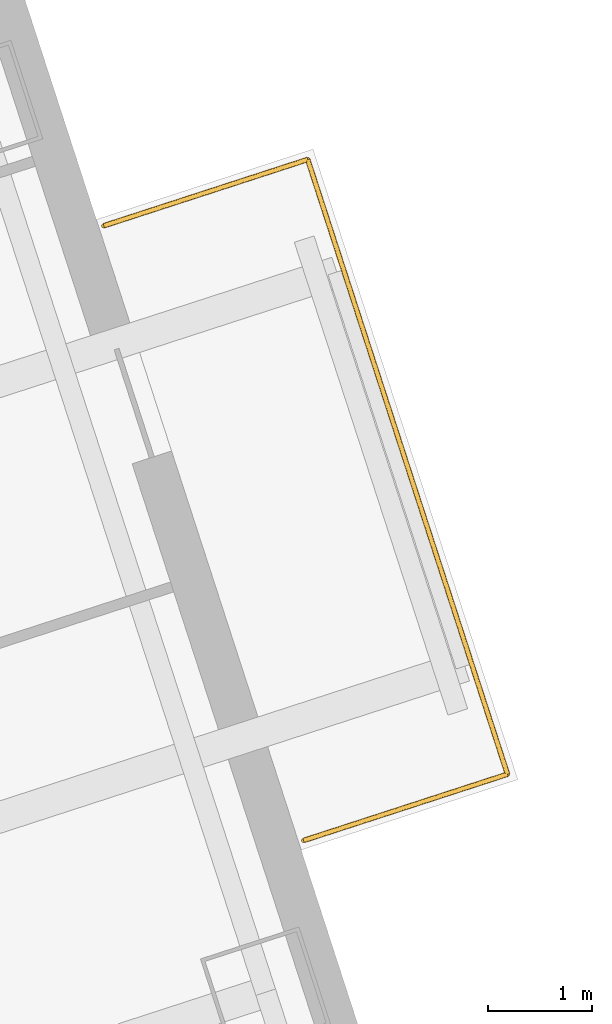
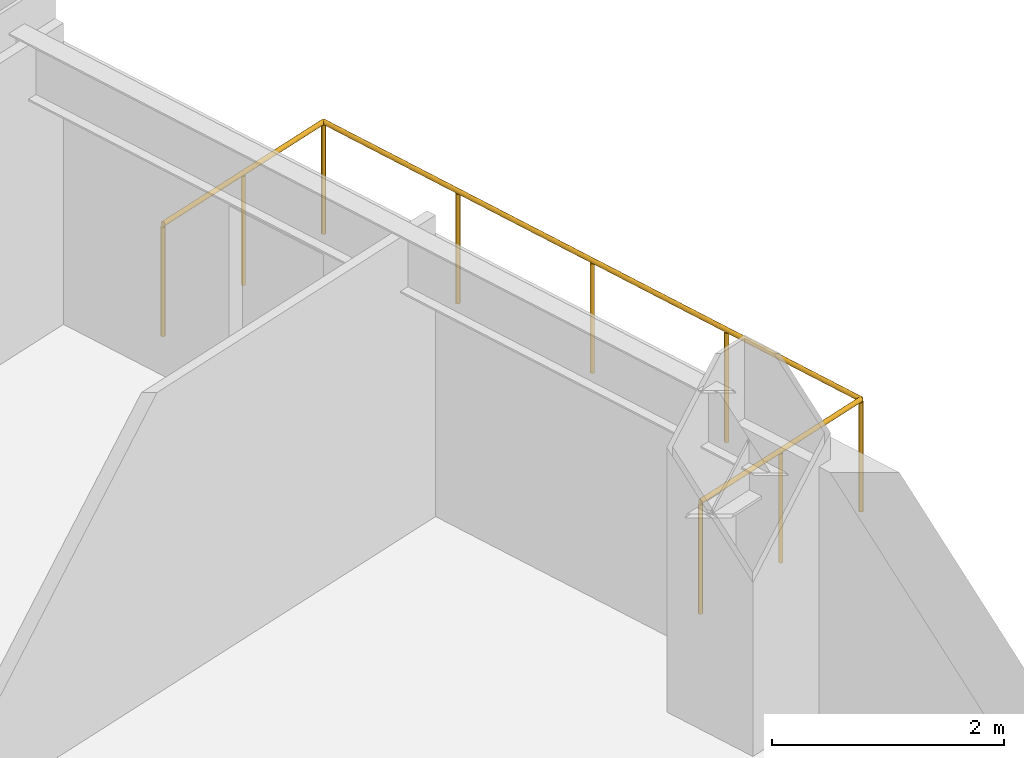
# One storey, part 15 of 15: 1 railing.
"""IFC4 building model written with IfcOpenShell, lengths in metres."""

from ifc_helpers import new_model, si_unit, direction, frame, origin, origin_2d, place, context, subcontext, project, spatial, circle, extrude, material, type_object, element, save


model = new_model("IFC4")

# Units and contexts
model_context = context("Model", 3, precision=1e-05, world=origin(), true_north=direction((0.0, 1.0)))
body_context = subcontext(model_context, "Body", "Model", "MODEL_VIEW")
ifc_project = project(units=[si_unit("LENGTHUNIT", "METRE"), si_unit("AREAUNIT", "SQUARE_METRE"), si_unit("VOLUMEUNIT", "CUBIC_METRE"), si_unit("PLANEANGLEUNIT", "RADIAN"), si_unit("MASSUNIT", "GRAM", prefix="KILO")], contexts=[model_context])

# Site, building, storey
site_placement = place(None, origin())
site = spatial("IfcSite", under=ifc_project, at=site_placement, CompositionType="ELEMENT")
building_placement = place(site_placement, origin())
building = spatial("IfcBuilding", under=site, at=building_placement, Name="Qiaolan Cultural Towers", CompositionType="ELEMENT")
storey_placement = place(building_placement, frame((0.0, 0.0, 50.60009765625)))
storey = spatial("IfcBuildingStorey", under=building, at=storey_placement, Name="L11", CompositionType="ELEMENT", Elevation=50.60009765625)

# Railing
ifc_material = material(Name="Laminated SentryGlas & Stainless Steel S31608 Balustrade", Category="steel")
railing_type = type_object("IfcRailingType", Name="GRD-TERR-1200", PredefinedType="BALUSTRADE", material=ifc_material)
railing_placement = place(storey_placement, frame((107.912353515625, 41.166015625, 0.0)))
element("IfcRailing", 1, at=railing_placement, inside=storey, type_object=railing_type, Name="L11 T2 Tree Balcony Guardrail E", PredefinedType="BALUSTRADE", context=body_context, shape_type="SweptSolid", body=[
    extrude(circle(Radius=0.02392578125, at=origin_2d()), frame((0.0, 0.0, 1.17578125), z_axis=(0.951061799618, 0.309000733507, 0.0), x_axis=(-0.309000733507, 0.951061799618, 0.0)), (0.0, 0.0, 1.0), 2.070068359375),
    extrude(circle(Radius=0.02392578125, at=origin_2d()), frame((1.96875, 0.6396484375, 1.17578125), z_axis=(-0.309047146287, 0.951046718817, 0.0), x_axis=(-0.951046718817, -0.309047146287, 0.0)), (0.0, 0.0, 1.0), 6.239990234375),
    extrude(circle(Radius=0.02392578125, at=origin_2d()), frame((0.040283203125, 6.57421875, 1.17578125), z_axis=(-0.951050536716, -0.309035397023, 0.0), x_axis=(0.309035397023, -0.951050536716, 0.0)), (0.0, 0.0, 1.0), 2.06982421875),
    extrude(circle(Radius=0.02099609375, at=origin_2d()), origin(), (0.0, 0.0, 1.0), 1.15185546875),
    extrude(circle(Radius=0.02099609375, at=origin_2d()), frame((0.984375, 0.31982421875, 0.0)), (0.0, 0.0, 1.0), 1.15185546875),
    extrude(circle(Radius=0.02099609375, at=origin_2d()), frame((1.96875, 0.6396484375, 0.0)), (0.0, 0.0, 1.0), 1.15185546875),
    extrude(circle(Radius=0.02099609375, at=origin_2d()), frame((1.486572265625, 2.123291015625, 0.0)), (0.0, 0.0, 1.0), 1.15185546875),
    extrude(circle(Radius=0.02099609375, at=origin_2d()), frame((1.00439453125, 3.60693359375, 0.0)), (0.0, 0.0, 1.0), 1.15185546875),
    extrude(circle(Radius=0.02099609375, at=origin_2d()), frame((0.5224609375, 5.090576171875, 0.0)), (0.0, 0.0, 1.0), 1.15185546875),
    extrude(circle(Radius=0.02099609375, at=origin_2d()), frame((0.040283203125, 6.57421875, 0.0)), (0.0, 0.0, 1.0), 1.15185546875),
    extrude(circle(Radius=0.02099609375, at=origin_2d()), frame((-0.94384765625, 6.25439453125, 0.0)), (0.0, 0.0, 1.0), 1.15185546875),
    extrude(circle(Radius=0.02099609375, at=origin_2d()), frame((-1.92822265625, 5.9345703125, 0.0)), (0.0, 0.0, 1.0), 1.15185546875),
])

save(model, "model.ifc")
